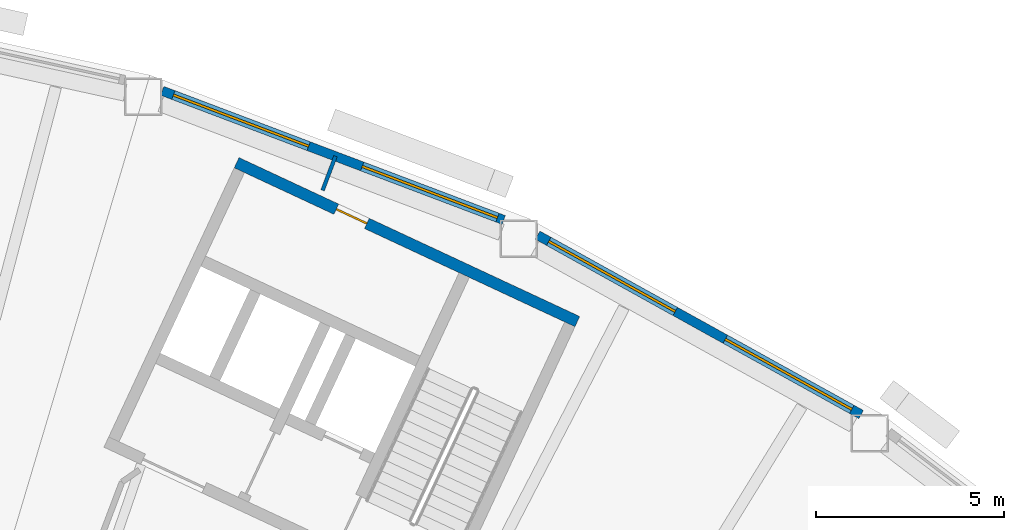
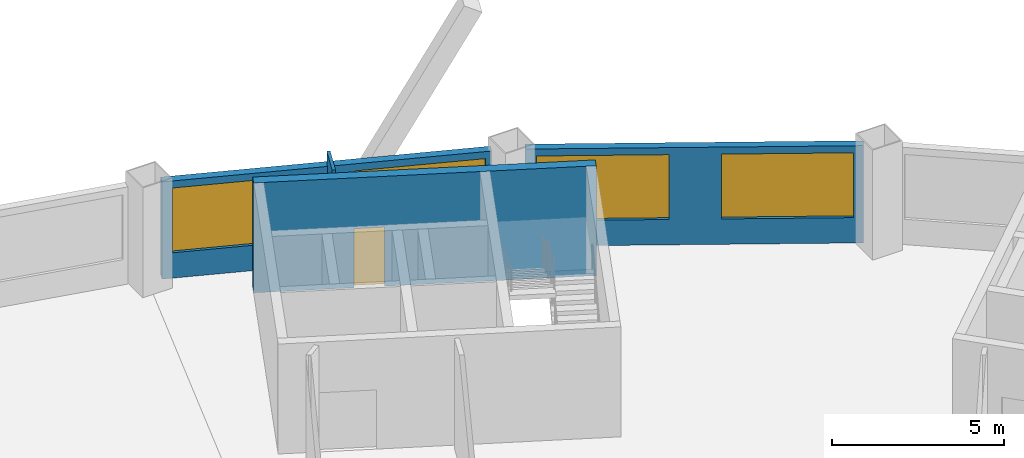
# One storey, part 8 of 11: 4 walls, 4 windows, 1 door, 5 openings.
"""IFC4 building model written with IfcOpenShell, lengths in metres."""

from ifc_helpers import new_model, si_unit, direction, frame, frame_2d, origin, place, context, subcontext, project, spatial, rectangle, extrude, material, layer, layer_set, type_object, element, fill, save


model = new_model("IFC4")

# Units and contexts
model_context = context("Model", 3, precision=1e-05, world=origin(), true_north=direction((0.0, 1.0)))
body_context = subcontext(model_context, "Body", "Model", "MODEL_VIEW")
ifc_project = project(units=[si_unit("LENGTHUNIT", "METRE"), si_unit("AREAUNIT", "SQUARE_METRE"), si_unit("VOLUMEUNIT", "CUBIC_METRE"), si_unit("PLANEANGLEUNIT", "RADIAN"), si_unit("MASSUNIT", "GRAM", prefix="KILO")], contexts=[model_context])

# Site, building, storey
site_placement = place(None, origin())
site = spatial("IfcSite", under=ifc_project, at=site_placement, CompositionType="ELEMENT")
building_placement = place(site_placement, origin())
building = spatial("IfcBuilding", under=site, at=building_placement, Name="Tuul Gate Civic Tower", CompositionType="ELEMENT")
storey_placement = place(building_placement, frame((0.0, 0.0, 146.60009765625)))
storey = spatial("IfcBuildingStorey", under=building, at=storey_placement, Name="Level 33", CompositionType="ELEMENT", Elevation=146.60009765625)

# Wall, opening, door
ifc_material_1 = material(Name="Concrete C50/60", Category="concrete")
ifc_layer_1 = layer(ifc_material_1, 0.300048828125)
ifc_layer_set_1 = layer_set([ifc_layer_1], Name="Concrete C50/60")
wall_type_1 = type_object("IfcWallType", Name="Core wall C50/60", PredefinedType="SHEAR", material=ifc_layer_set_1)
wall_1_placement = place(storey_placement, frame((37.993408203125, 0.181884765625, 0.0), z_axis=(0.0, 0.0, 1.0), x_axis=(-0.906310338845, 0.422612789327, 0.0)))
wall_1 = element("IfcWall", 1, at=wall_1_placement, inside=storey, type_object=wall_type_1, Name="Core wall", PredefinedType="SHEAR", context=body_context, shape_type="SweptSolid", body=[
    extrude(rectangle(XDim=9.999755859375, YDim=0.300048828125, at=frame_2d((5.0, 0.0))), origin(), (0.0, 0.0, 1.0), 3.89990234375),
])
opening_1_placement = place(wall_1_placement, frame((6.175048828125, 0.0, 0.0)))
opening_1 = element("IfcOpeningElement", 2, at=opening_1_placement, cuts=wall_1, Name="Opening L-D15", PredefinedType="OPENING", context=body_context, shape_type="SweptSolid", body=[
    extrude(rectangle(XDim=0.89990234375, YDim=2.10009765625, at=frame_2d((0.449951171875, 1.050048828125))), frame((0.0, 0.16015625, 0.0), z_axis=(0.0, -1.0, 0.0), x_axis=(1.0, 0.0, 0.0)), (0.0, 0.0, 1.0), 0.320068359375),
])
ifc_material_2 = material(Name="Timber door leaf", Category="wood")
door_type = type_object("IfcDoorType", Name="Door D09", OperationType="NOTDEFINED", PredefinedType="DOOR", material=ifc_material_2)
door_placement = place(opening_1_placement, origin())
door = element("IfcDoor", 3, at=door_placement, inside=storey, type_object=door_type, Name="Door L-D15", OperationType="SINGLE_SWING_LEFT", OverallHeight=2.10009765625, OverallWidth=0.89990234375, PredefinedType="DOOR", context=body_context, shape_type="SweptSolid", body=[
    extrude(rectangle(XDim=0.89990234375, YDim=2.10009765625, at=frame_2d((0.449951171875, 1.050048828125))), frame((0.0, 0.02490234375, 0.0), z_axis=(0.0, -1.0, 0.0), x_axis=(1.0, 0.0, 0.0)), (0.0, 0.0, 1.0), 0.050048828125),
])
fill(opening_1, door)

# Wall, openings, windows
ifc_material_3 = material(Name="Precast concrete C40/50", Category="concrete")
ifc_layer_2 = layer(ifc_material_3, 0.25)
ifc_layer_set_2 = layer_set([ifc_layer_2], Name="Precast concrete C40/50")
wall_type_2 = type_object("IfcWallType", Name="External wall", PredefinedType="STANDARD", material=ifc_layer_set_2)
wall_2_placement = place(storey_placement, frame((45.545166015625, -2.291015625, 0.0), z_axis=(0.0, 0.0, 1.0), x_axis=(-0.874631968484, 0.484787499536, 0.0)))
wall_2 = element("IfcWall", 4, at=wall_2_placement, inside=storey, type_object=wall_type_2, Name="External wall", PredefinedType="STANDARD", context=body_context, shape_type="SweptSolid", body=[
    extrude(rectangle(XDim=9.8408203125, YDim=0.25, at=frame_2d((4.92041015625, 0.0))), origin(), (0.0, 0.0, 1.0), 3.449951171875),
])
opening_2_placement = place(wall_2_placement, frame((0.283447265625, 0.0, 0.89990234375)))
opening_2 = element("IfcOpeningElement", 5, at=opening_2_placement, cuts=wall_2, Name="Opening W22", PredefinedType="OPENING", context=body_context, shape_type="SweptSolid", body=[
    extrude(rectangle(XDim=3.85009765625, YDim=2.300048828125, at=frame_2d((1.925048828125, 1.14990234375))), frame((0.0, 0.135009765625, 0.0), z_axis=(0.0, -1.0, 0.0), x_axis=(1.0, 0.0, 0.0)), (0.0, 0.0, 1.0), 0.27001953125),
])
opening_3_placement = place(wall_2_placement, frame((5.655029296875, 0.0, 0.89990234375)))
opening_3 = element("IfcOpeningElement", 6, at=opening_3_placement, cuts=wall_2, Name="Opening W22", PredefinedType="OPENING", context=body_context, shape_type="SweptSolid", body=[
    extrude(rectangle(XDim=3.85009765625, YDim=2.300048828125, at=frame_2d((1.925048828125, 1.14990234375))), frame((0.0, 0.135009765625, 0.0), z_axis=(0.0, -1.0, 0.0), x_axis=(1.0, 0.0, 0.0)), (0.0, 0.0, 1.0), 0.27001953125),
])
ifc_material_4 = material(Name="Glass", Category="glass")
window_type = type_object("IfcWindowType", Name="Window W22 3850 x 2300", PartitioningType="SINGLE_PANEL", PredefinedType="WINDOW", material=ifc_material_4)
window_1_placement = place(opening_2_placement, origin())
window_1 = element("IfcWindow", 7, at=window_1_placement, inside=storey, type_object=window_type, Name="Window", OverallHeight=2.300048828125, OverallWidth=3.85009765625, PartitioningType="SINGLE_PANEL", PredefinedType="WINDOW", context=body_context, shape_type="SweptSolid", body=[
    extrude(rectangle(XDim=3.85009765625, YDim=2.300048828125, at=frame_2d((1.925048828125, 1.14990234375))), frame((0.0, 0.030029296875, 0.0), z_axis=(0.0, -1.0, 0.0), x_axis=(1.0, 0.0, 0.0)), (0.0, 0.0, 1.0), 0.06005859375),
])
fill(opening_2, window_1)
window_2_placement = place(opening_3_placement, origin())
window_2 = element("IfcWindow", 8, at=window_2_placement, inside=storey, type_object=window_type, Name="Window", OverallHeight=2.300048828125, OverallWidth=3.85009765625, PartitioningType="SINGLE_PANEL", PredefinedType="WINDOW", context=body_context, shape_type="SweptSolid", body=[
    extrude(rectangle(XDim=3.85009765625, YDim=2.300048828125, at=frame_2d((1.925048828125, 1.14990234375))), frame((0.0, 0.030029296875, 0.0), z_axis=(0.0, -1.0, 0.0), x_axis=(1.0, 0.0, 0.0)), (0.0, 0.0, 1.0), 0.06005859375),
])
fill(opening_3, window_2)

wall_3_placement = place(storey_placement, frame((36.03564453125, 2.885009765625, 0.0), z_axis=(0.0, 0.0, 1.0), x_axis=(-0.935351451724, 0.353719750307, 0.0)))
wall_3 = element("IfcWall", 9, at=wall_3_placement, inside=storey, type_object=wall_type_2, Name="External wall", PredefinedType="STANDARD", context=body_context, shape_type="SweptSolid", body=[
    extrude(rectangle(XDim=9.712646484375, YDim=0.25, at=frame_2d((4.8564453125, 0.0))), origin(), (0.0, 0.0, 1.0), 3.449951171875),
])
opening_4_placement = place(wall_3_placement, frame((0.17578125, 0.0, 0.89990234375)))
opening_4 = element("IfcOpeningElement", 10, at=opening_4_placement, cuts=wall_3, Name="Opening W22", PredefinedType="OPENING", context=body_context, shape_type="SweptSolid", body=[
    extrude(rectangle(XDim=3.85009765625, YDim=2.300048828125, at=frame_2d((1.925048828125, 1.14990234375))), frame((0.0, 0.135009765625, 0.0), z_axis=(0.0, -1.0, 0.0), x_axis=(1.0, 0.0, 0.0)), (0.0, 0.0, 1.0), 0.27001953125),
])
opening_5_placement = place(wall_3_placement, frame((5.546875, 0.0, 0.89990234375)))
opening_5 = element("IfcOpeningElement", 11, at=opening_5_placement, cuts=wall_3, Name="Opening W22", PredefinedType="OPENING", context=body_context, shape_type="SweptSolid", body=[
    extrude(rectangle(XDim=3.85009765625, YDim=2.300048828125, at=frame_2d((1.925048828125, 1.14990234375))), frame((0.0, 0.135009765625, 0.0), z_axis=(0.0, -1.0, 0.0), x_axis=(1.0, 0.0, 0.0)), (0.0, 0.0, 1.0), 0.27001953125),
])
window_3_placement = place(opening_4_placement, origin())
window_3 = element("IfcWindow", 12, at=window_3_placement, inside=storey, type_object=window_type, Name="Window", OverallHeight=2.300048828125, OverallWidth=3.85009765625, PartitioningType="SINGLE_PANEL", PredefinedType="WINDOW", context=body_context, shape_type="SweptSolid", body=[
    extrude(rectangle(XDim=3.85009765625, YDim=2.300048828125, at=frame_2d((1.925048828125, 1.14990234375))), frame((0.0, 0.030029296875, 0.0), z_axis=(0.0, -1.0, 0.0), x_axis=(1.0, 0.0, 0.0)), (0.0, 0.0, 1.0), 0.06005859375),
])
fill(opening_4, window_3)
window_4_placement = place(opening_5_placement, origin())
window_4 = element("IfcWindow", 13, at=window_4_placement, inside=storey, type_object=window_type, Name="Window", OverallHeight=2.300048828125, OverallWidth=3.85009765625, PartitioningType="SINGLE_PANEL", PredefinedType="WINDOW", context=body_context, shape_type="SweptSolid", body=[
    extrude(rectangle(XDim=3.85009765625, YDim=2.300048828125, at=frame_2d((1.925048828125, 1.14990234375))), frame((0.0, 0.030029296875, 0.0), z_axis=(0.0, -1.0, 0.0), x_axis=(1.0, 0.0, 0.0)), (0.0, 0.0, 1.0), 0.06005859375),
])
fill(opening_5, window_4)

# Wall
ifc_material_5 = material(Name="Gypsum board partition")
ifc_layer_3 = layer(ifc_material_5, 0.10009765625)
ifc_layer_set_3 = layer_set([ifc_layer_3], Name="Gypsum board partition")
wall_type_3 = type_object("IfcWallType", Name="Partition P100", PredefinedType="PARTITIONING", material=ifc_layer_set_3)
wall_4_placement = place(storey_placement, frame((31.217041015625, 3.673095703125, 0.0), z_axis=(0.0, 0.0, 1.0), x_axis=(0.353571482385, 0.935407508439, 0.0)))
element("IfcWall", 14, at=wall_4_placement, inside=storey, type_object=wall_type_3, Name="p007", PredefinedType="PARTITIONING", context=body_context, shape_type="SweptSolid", body=[
    extrude(rectangle(XDim=0.97216796875, YDim=0.10009765625, at=frame_2d((0.486083984375, 0.0))), origin(), (0.0, 0.0, 1.0), 3.89990234375),
])

save(model, "model.ifc")
